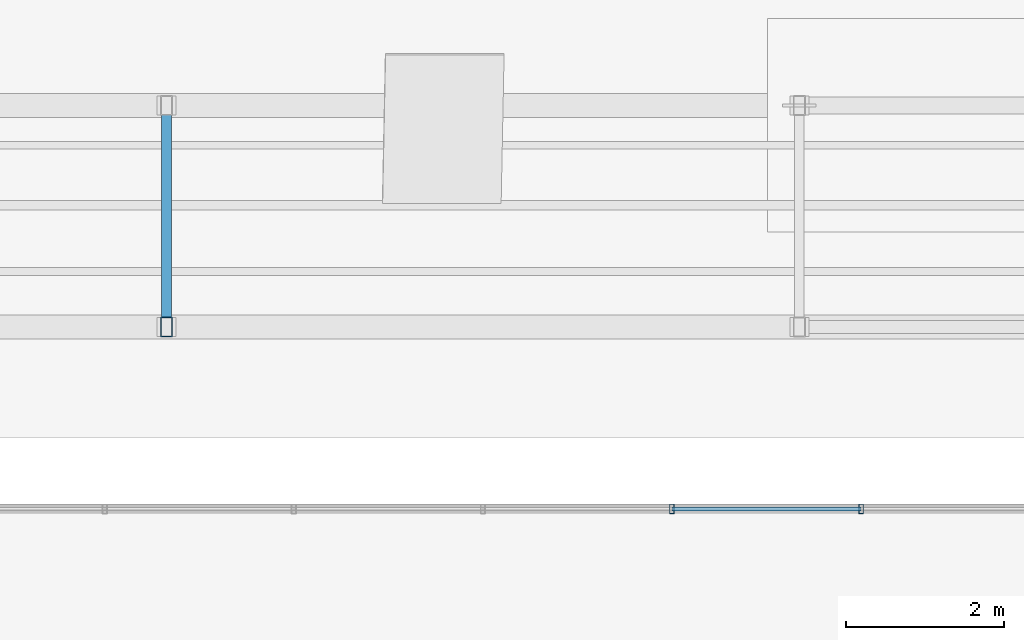
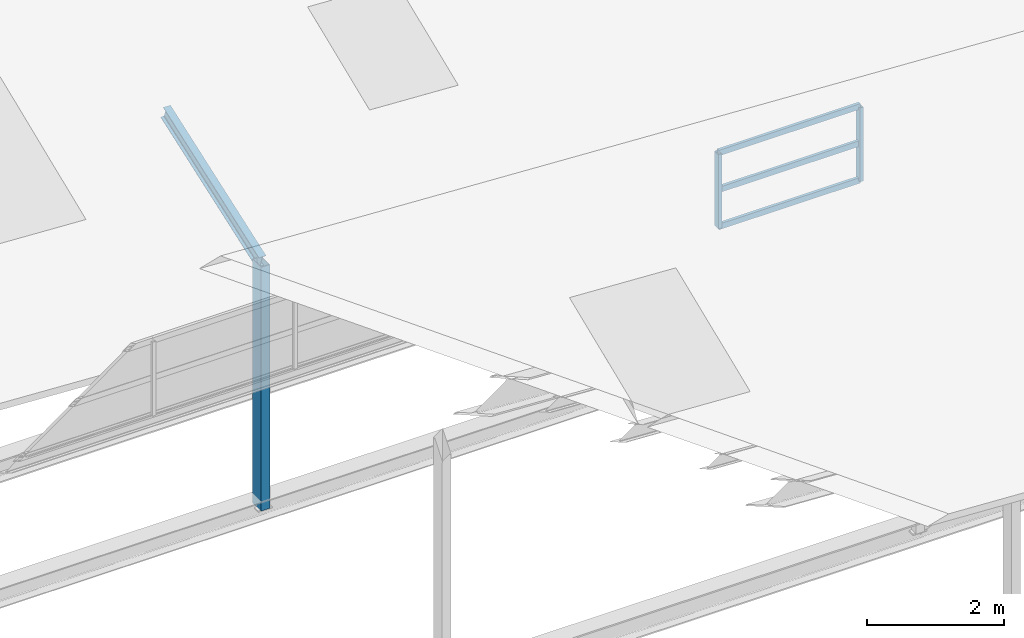
# One storey, part 111 of 141: 7 members, 1 element without a shape of its own.
"""IFC4 building model written with IfcOpenShell, lengths in metres."""

from ifc_helpers import new_model, si_unit, direction, frame, origin, origin_2d, place, context, subcontext, project, spatial, hollow_rectangle, i_section, extrude, material, material_profile, profile_set, type_object, element, aggregate, save


model = new_model("IFC4")

# Units and contexts
model_context = context("Model", 3, precision=1e-05, world=origin(), true_north=direction((0.0, 1.0)))
body_context = subcontext(model_context, "Body", "Model", "MODEL_VIEW")
ifc_project = project(units=[si_unit("LENGTHUNIT", "METRE"), si_unit("AREAUNIT", "SQUARE_METRE"), si_unit("VOLUMEUNIT", "CUBIC_METRE"), si_unit("PLANEANGLEUNIT", "RADIAN"), si_unit("MASSUNIT", "GRAM", prefix="KILO")], contexts=[model_context])

# Site, building, storey
site_placement = place(None, origin())
site = spatial("IfcSite", under=ifc_project, at=site_placement, CompositionType="ELEMENT")
building_placement = place(site_placement, origin())
building = spatial("IfcBuilding", under=site, at=building_placement, Name="Sundkrona Museum", CompositionType="ELEMENT")
storey_placement = place(building_placement, frame((0.0, 0.0, 34.0)))
storey = spatial("IfcBuildingStorey", under=building, at=storey_placement, Name="RF", CompositionType="ELEMENT", Elevation=34.0)

# Curtain wall, members
ifc_material_1 = material(Name="Unitised Aluminium-Steel and Ceramic-Clad Curtain Walling", Category="steel")
curtain_wall_type = type_object("IfcCurtainWallType", Name="CW-SW-240x13", PredefinedType="NOTDEFINED", material=ifc_material_1)
curtain_wall_placement = place(storey_placement, origin())
curtain_wall = element("IfcCurtainWall", 1, at=curtain_wall_placement, inside=storey, type_object=curtain_wall_type, Name="Sawtooth Bay 5 East North-Light Clerestory", PredefinedType="NOTDEFINED")
ifc_material_2 = material(Name="Aluminium EN AW-6060 T66", Category="aluminium")
ifc_material_profile_1 = material_profile(ifc_material_2, hollow_rectangle(XDim=0.06005859375, YDim=0.1201171875, WallThickness=0.0048828125, at=origin_2d()), Name="RHS 120x60x5.0")
ifc_profile_set_1 = profile_set([ifc_material_profile_1], Name="Aluminium EN AW-6060 T66")
member_type_1 = type_object("IfcMemberType", Name="ML-120", PredefinedType="MULLION", material=ifc_profile_set_1)
member_1_placement = place(storey_placement, frame((158.389892578125, 34.60009765625, 3.89306640625), z_axis=(0.0, 0.0, 1.0), x_axis=(1.0, 0.0, 0.0)))
member_1 = element("IfcMember", 2, at=member_1_placement, type_object=member_type_1, Name="CW-RF-SAW-05E Mullion 07", PredefinedType="MULLION", context=body_context, shape_type="SweptSolid", body=[
    extrude(hollow_rectangle(XDim=0.06005859375, YDim=0.1201171875, WallThickness=0.0048828125, at=origin_2d()), origin(), (0.0, 0.0, 1.0), 1.31982421875),
])
member_2_placement = place(storey_placement, frame((160.780029296875, 34.60009765625, 3.89306640625), z_axis=(0.0, 0.0, 1.0), x_axis=(1.0, 0.0, 0.0)))
member_2 = element("IfcMember", 3, at=member_2_placement, type_object=member_type_1, Name="CW-RF-SAW-05E Mullion 08", PredefinedType="MULLION", context=body_context, shape_type="SweptSolid", body=[
    extrude(hollow_rectangle(XDim=0.06005859375, YDim=0.1201171875, WallThickness=0.0048828125, at=origin_2d()), origin(), (0.0, 0.0, 1.0), 1.31982421875),
])

# Members
ifc_material_3 = material(Name="Steel S355J2", Category="steel")
ifc_material_profile_2 = material_profile(ifc_material_3, i_section(OverallWidth=0.1201171875, OverallDepth=0.239990234375, WebThickness=0.006103515625, FlangeThickness=0.009765625, FilletRadius=0.014892578125, at=origin_2d()), Name="IPE 240")
ifc_profile_set_2 = profile_set([ifc_material_profile_2], Name="Steel S355J2")
member_type_2 = type_object("IfcMemberType", Name="PR-IPE240", PredefinedType="PURLIN", material=ifc_profile_set_2)
member_3_placement = place(storey_placement, frame((152.0, 36.89990234375, 4.1025390625), z_axis=(0.0, 0.942754878846, 0.333486489099), x_axis=(-1.0, 0.0, 0.0)))
element("IfcMember", 4, at=member_3_placement, inside=storey, type_object=member_type_2, Name="RFS-1 Sawtooth Bay 6 Transverse Rafter 5", PredefinedType="PURLIN", context=body_context, shape_type="SweptSolid", body=[
    extrude(i_section(OverallWidth=0.1201171875, OverallDepth=0.239990234375, WebThickness=0.006103515625, FlangeThickness=0.009765625, FilletRadius=0.014892578125, at=origin_2d()), origin(), (0.0, 0.0, 1.0), 2.969970703125),
])
ifc_material_profile_3 = material_profile(ifc_material_3, hollow_rectangle(XDim=0.14990234375, YDim=0.25, WallThickness=0.010009765625, at=origin_2d()), Name="RHS 250x150x10.0")
ifc_profile_set_3 = profile_set([ifc_material_profile_3], Name="Steel S355J2")
member_type_3 = type_object("IfcMemberType", Name="ST-RHS250", PredefinedType="STRUT", material=ifc_profile_set_3)
member_4_placement = place(storey_placement, frame((152.0, 36.89990234375, -0.25), z_axis=(0.0, 0.0, 1.0), x_axis=(1.0, 0.0, 0.0)))
element("IfcMember", 5, at=member_4_placement, inside=storey, type_object=member_type_3, Name="RFS-1 Sawtooth Bay 6 Valley Post 5", PredefinedType="STRUT", context=body_context, shape_type="SweptSolid", body=[
    extrude(hollow_rectangle(XDim=0.14990234375, YDim=0.25, WallThickness=0.010009765625, at=origin_2d()), origin(), (0.0, 0.0, 1.0), 4.3525390625),
])

# Member
ifc_material_profile_4 = material_profile(ifc_material_2, hollow_rectangle(XDim=0.050048828125, YDim=0.10009765625, WallThickness=0.0048828125, at=origin_2d()), Name="RHS 100x50x5.0")
ifc_profile_set_4 = profile_set([ifc_material_profile_4], Name="Aluminium EN AW-6060 T66")
member_type_4 = type_object("IfcMemberType", Name="TR-100", PredefinedType="USERDEFINED", material=ifc_profile_set_4)
member_5_placement = place(storey_placement, frame((158.389892578125, 34.60009765625, 3.89306640625), z_axis=(1.0, 0.0, 0.0), x_axis=(0.0, 1.0, 0.0)))
member_5 = element("IfcMember", 6, at=member_5_placement, type_object=member_type_4, Name="CW-RF-SAW-05E Transom 19", ObjectType="TRANSOM", PredefinedType="USERDEFINED", context=body_context, shape_type="SweptSolid", body=[
    extrude(hollow_rectangle(XDim=0.050048828125, YDim=0.10009765625, WallThickness=0.0048828125, at=origin_2d()), origin(), (0.0, 0.0, 1.0), 2.39013671875),
])

member_6_placement = place(storey_placement, frame((158.389892578125, 34.60009765625, 4.552978515625), z_axis=(1.0, 0.0, 0.0), x_axis=(0.0, 1.0, 0.0)))
member_6 = element("IfcMember", 7, at=member_6_placement, type_object=member_type_4, Name="CW-RF-SAW-05E Transom 20", ObjectType="TRANSOM", PredefinedType="USERDEFINED", context=body_context, shape_type="SweptSolid", body=[
    extrude(hollow_rectangle(XDim=0.050048828125, YDim=0.10009765625, WallThickness=0.0048828125, at=origin_2d()), origin(), (0.0, 0.0, 1.0), 2.39013671875),
])

member_7_placement = place(storey_placement, frame((158.389892578125, 34.60009765625, 5.212890625), z_axis=(1.0, 0.0, 0.0), x_axis=(0.0, 1.0, 0.0)))
member_7 = element("IfcMember", 8, at=member_7_placement, type_object=member_type_4, Name="CW-RF-SAW-05E Transom 21", ObjectType="TRANSOM", PredefinedType="USERDEFINED", context=body_context, shape_type="SweptSolid", body=[
    extrude(hollow_rectangle(XDim=0.050048828125, YDim=0.10009765625, WallThickness=0.0048828125, at=origin_2d()), origin(), (0.0, 0.0, 1.0), 2.39013671875),
])

aggregate(curtain_wall, [member_1, member_2, member_5, member_6, member_7])

save(model, "model.ifc")
